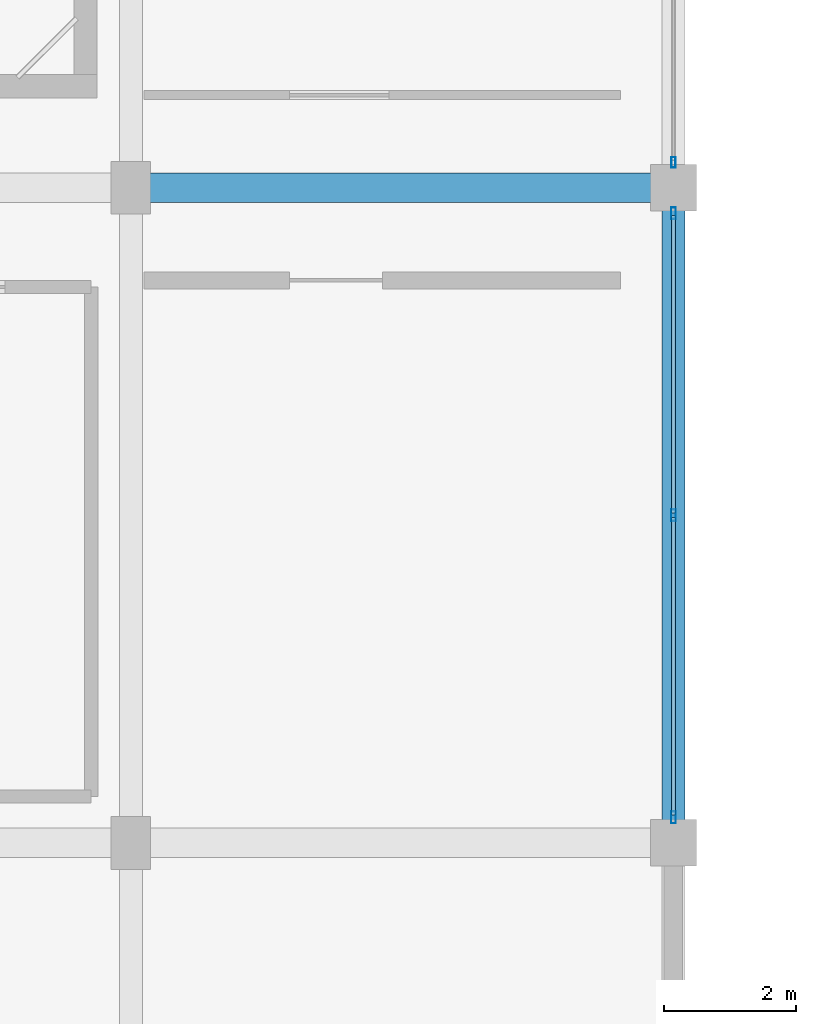
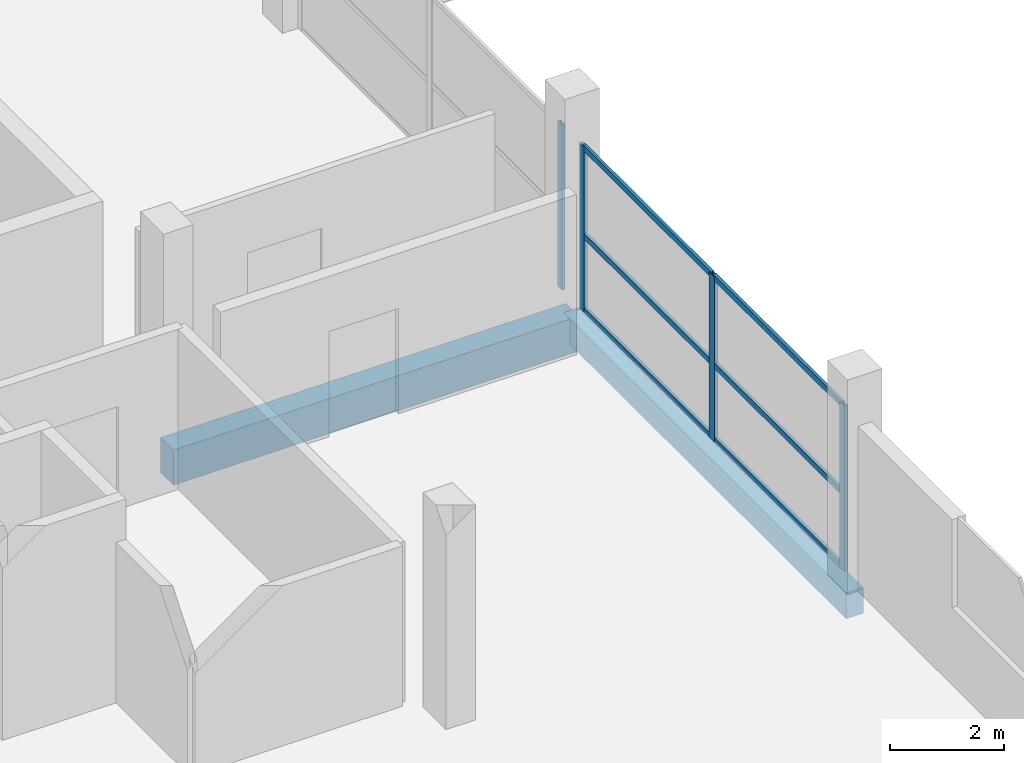
# One storey, part 17 of 55: 10 members, 2 beams, 2 elements without a shape of their own.
"""IFC4 building model written with IfcOpenShell, lengths in metres."""

from ifc_helpers import new_model, si_unit, direction, frame, origin, origin_2d, place, context, subcontext, project, spatial, rectangle, hollow_rectangle, extrude, material, layer, layer_set, material_profile, profile_set, type_object, element, aggregate, save


model = new_model("IFC4")

# Units and contexts
model_context = context("Model", 3, precision=1e-05, world=origin(), true_north=direction((0.0, 1.0)))
body_context = subcontext(model_context, "Body", "Model", "MODEL_VIEW")
ifc_project = project(units=[si_unit("LENGTHUNIT", "METRE"), si_unit("AREAUNIT", "SQUARE_METRE"), si_unit("VOLUMEUNIT", "CUBIC_METRE"), si_unit("PLANEANGLEUNIT", "RADIAN"), si_unit("MASSUNIT", "GRAM", prefix="KILO")], contexts=[model_context])

# Site, building, storey
site_placement = place(None, origin())
site = spatial("IfcSite", under=ifc_project, at=site_placement, CompositionType="ELEMENT")
building_placement = place(site_placement, origin())
building = spatial("IfcBuilding", under=site, at=building_placement, Name="Sillaruma Civic Art Gallery", CompositionType="ELEMENT")
storey_placement = place(building_placement, frame((0.0, 0.0, 37.739990234375)))
storey = spatial("IfcBuildingStorey", under=building, at=storey_placement, Name="L07", CompositionType="ELEMENT", Elevation=37.739990234375)

# Beams
ifc_material_1 = material(Name="Concrete H40 (40 MPa)", Category="concrete")
ifc_material_profile_1 = material_profile(ifc_material_1, rectangle(XDim=0.449951171875, YDim=0.75, at=origin_2d()), Name="RCB450x750")
ifc_profile_set_1 = profile_set([ifc_material_profile_1], Name="Concrete H40 (40 MPa)")
beam_type_1 = type_object("IfcBeamType", Name="BM-BEAM-RCB450x750", PredefinedType="BEAM", material=ifc_profile_set_1)
beam_1_placement = place(storey_placement, frame((106.199951171875, 49.5, -0.614990234375), z_axis=(1.0, 0.0, 0.0), x_axis=(0.0, 1.0, 0.0)))
element("IfcBeam", 1, at=beam_1_placement, inside=storey, type_object=beam_type_1, Name="Beam BM-03 (L06:6:M-N)", PredefinedType="BEAM", context=body_context, shape_type="SweptSolid", body=[
    extrude(rectangle(XDim=0.449951171875, YDim=0.75, at=origin_2d()), origin(), (0.0, 0.0, 1.0), 8.199951171875),
])
ifc_material_2 = material(Name="Concrete H35 (35 MPa)", Category="concrete")
ifc_material_profile_2 = material_profile(ifc_material_2, rectangle(XDim=0.35009765625, YDim=0.550048828125, at=origin_2d()), Name="RCB350x550")
ifc_profile_set_2 = profile_set([ifc_material_profile_2], Name="Concrete H35 (35 MPa)")
beam_type_2 = type_object("IfcBeamType", Name="BM-SPANDREL-RCB350x550", PredefinedType="SPANDREL", material=ifc_profile_set_2)
beam_2_placement = place(storey_placement, frame((114.39990234375, 39.60009765625, -0.514892578125), z_axis=(0.0, 1.0, 0.0), x_axis=(-1.0, 0.0, 0.0)))
element("IfcBeam", 2, at=beam_2_placement, inside=storey, type_object=beam_type_2, Name="Beam BS-04 (L06:N:5-6)", PredefinedType="SPANDREL", context=body_context, shape_type="SweptSolid", body=[
    extrude(rectangle(XDim=0.35009765625, YDim=0.550048828125, at=origin_2d()), origin(), (0.0, 0.0, 1.0), 9.89990234375),
])

# Curtain wall, member
ifc_material_3 = material(Name="Thermally Broken Extruded Aluminium 6063-T6", Category="aluminium")
ifc_layer_1 = layer(ifc_material_3, 0.159912109375, Name="Thermally Broken Extruded Aluminium 6063-T6")
ifc_layer_set_1 = layer_set([ifc_layer_1], Name="Thermally Broken Extruded Aluminium 6063-T6")
curtain_wall_type_1 = type_object("IfcCurtainWallType", Name="CW-UNI-47", PredefinedType="NOTDEFINED", material=ifc_layer_set_1)
curtain_wall_1_placement = place(storey_placement, origin())
curtain_wall_1 = element("IfcCurtainWall", 3, at=curtain_wall_1_placement, inside=storey, type_object=curtain_wall_type_1, Name="Unitised Curtain Wall CW-47 (CW-L07-E-4)", PredefinedType="NOTDEFINED")
ifc_material_profile_3 = material_profile(ifc_material_3, hollow_rectangle(XDim=0.06494140625, YDim=0.159912109375, WallThickness=0.00390625, at=origin_2d()), Name="CWM65x160")
ifc_profile_set_3 = profile_set([ifc_material_profile_3], Name="Thermally Broken Extruded Aluminium 6063-T6")
member_type_1 = type_object("IfcMemberType", Name="MEM-MUL-CWM65x160", PredefinedType="MULLION", material=ifc_profile_set_3)
member_1_placement = place(storey_placement, frame((114.39990234375, 49.882568359375, 0.0), z_axis=(0.0, 0.0, 1.0), x_axis=(-1.0, 0.0, 0.0)))
member_1 = element("IfcMember", 4, at=member_1_placement, type_object=member_type_1, Name="CW-47 mullion 1", PredefinedType="MULLION", context=body_context, shape_type="SweptSolid", body=[
    extrude(hollow_rectangle(XDim=0.06494140625, YDim=0.159912109375, WallThickness=0.00390625, at=origin_2d()), origin(), (0.0, 0.0, 1.0), 3.530029296875),
])
aggregate(curtain_wall_1, [member_1])

# Curtain wall, members
ifc_layer_2 = layer(ifc_material_3, 0.179931640625, Name="Thermally Broken Extruded Aluminium 6063-T6")
ifc_layer_set_2 = layer_set([ifc_layer_2], Name="Thermally Broken Extruded Aluminium 6063-T6")
curtain_wall_type_2 = type_object("IfcCurtainWallType", Name="CW-UNI-45", PredefinedType="NOTDEFINED", material=ifc_layer_set_2)
curtain_wall_2_placement = place(storey_placement, origin())
curtain_wall_2 = element("IfcCurtainWall", 5, at=curtain_wall_2_placement, inside=storey, type_object=curtain_wall_type_2, Name="Unitised Curtain Wall CW-45 (CW-L07-E-3)", PredefinedType="NOTDEFINED")
ifc_material_profile_4 = material_profile(ifc_material_3, hollow_rectangle(XDim=0.070068359375, YDim=0.179931640625, WallThickness=0.00390625, at=origin_2d()), Name="CWM70x180")
ifc_profile_set_4 = profile_set([ifc_material_profile_4], Name="Thermally Broken Extruded Aluminium 6063-T6")
member_type_2 = type_object("IfcMemberType", Name="MEM-MUL-CWM70x180", PredefinedType="MULLION", material=ifc_profile_set_4)
member_2_placement = place(storey_placement, frame((114.39990234375, 39.985107421875, 0.0), z_axis=(0.0, 0.0, 1.0), x_axis=(-1.0, 0.0, 0.0)))
member_2 = element("IfcMember", 6, at=member_2_placement, type_object=member_type_2, Name="CW-45 mullion 1", PredefinedType="MULLION", context=body_context, shape_type="SweptSolid", body=[
    extrude(hollow_rectangle(XDim=0.070068359375, YDim=0.179931640625, WallThickness=0.00390625, at=origin_2d()), origin(), (0.0, 0.0, 1.0), 3.530029296875),
])
member_3_placement = place(storey_placement, frame((114.39990234375, 44.550048828125, 0.0), z_axis=(0.0, 0.0, 1.0), x_axis=(-1.0, 0.0, 0.0)))
member_3 = element("IfcMember", 7, at=member_3_placement, type_object=member_type_2, Name="CW-45 mullion 2", PredefinedType="MULLION", context=body_context, shape_type="SweptSolid", body=[
    extrude(hollow_rectangle(XDim=0.070068359375, YDim=0.179931640625, WallThickness=0.00390625, at=origin_2d()), origin(), (0.0, 0.0, 1.0), 3.530029296875),
])
member_4_placement = place(storey_placement, frame((114.39990234375, 49.114990234375, 0.0), z_axis=(0.0, 0.0, 1.0), x_axis=(-1.0, 0.0, 0.0)))
member_4 = element("IfcMember", 8, at=member_4_placement, type_object=member_type_2, Name="CW-45 mullion 3", PredefinedType="MULLION", context=body_context, shape_type="SweptSolid", body=[
    extrude(hollow_rectangle(XDim=0.070068359375, YDim=0.179931640625, WallThickness=0.00390625, at=origin_2d()), origin(), (0.0, 0.0, 1.0), 3.530029296875),
])
ifc_material_profile_5 = material_profile(ifc_material_3, hollow_rectangle(XDim=0.06494140625, YDim=0.1201171875, WallThickness=0.00341796875, at=origin_2d()), Name="CWT65x120")
ifc_profile_set_5 = profile_set([ifc_material_profile_5], Name="Thermally Broken Extruded Aluminium 6063-T6")
member_type_3 = type_object("IfcMemberType", Name="MEM-TRN-CWT65x120", PredefinedType="USERDEFINED", material=ifc_profile_set_5)
member_5_placement = place(storey_placement, frame((114.39990234375, 40.02001953125, 0.032470703125), z_axis=(0.0, 1.0, 0.0), x_axis=(-1.0, 0.0, 0.0)))
member_5 = element("IfcMember", 9, at=member_5_placement, type_object=member_type_3, Name="CW-45 transom 1.1", ObjectType="TRANSOM", PredefinedType="USERDEFINED", context=body_context, shape_type="SweptSolid", body=[
    extrude(hollow_rectangle(XDim=0.06494140625, YDim=0.1201171875, WallThickness=0.00341796875, at=origin_2d()), origin(), (0.0, 0.0, 1.0), 4.494873046875),
])
member_6_placement = place(storey_placement, frame((114.39990234375, 40.02001953125, 1.623779296875), z_axis=(0.0, 1.0, 0.0), x_axis=(-1.0, 0.0, 0.0)))
member_6 = element("IfcMember", 10, at=member_6_placement, type_object=member_type_3, Name="CW-45 transom 1.2", ObjectType="TRANSOM", PredefinedType="USERDEFINED", context=body_context, shape_type="SweptSolid", body=[
    extrude(hollow_rectangle(XDim=0.06494140625, YDim=0.1201171875, WallThickness=0.00341796875, at=origin_2d()), origin(), (0.0, 0.0, 1.0), 4.494873046875),
])
member_7_placement = place(storey_placement, frame((114.39990234375, 40.02001953125, 3.49755859375), z_axis=(0.0, 1.0, 0.0), x_axis=(-1.0, 0.0, 0.0)))
member_7 = element("IfcMember", 11, at=member_7_placement, type_object=member_type_3, Name="CW-45 transom 1.3", ObjectType="TRANSOM", PredefinedType="USERDEFINED", context=body_context, shape_type="SweptSolid", body=[
    extrude(hollow_rectangle(XDim=0.06494140625, YDim=0.1201171875, WallThickness=0.00341796875, at=origin_2d()), origin(), (0.0, 0.0, 1.0), 4.494873046875),
])
member_8_placement = place(storey_placement, frame((114.39990234375, 44.5849609375, 0.032470703125), z_axis=(0.0, 1.0, 0.0), x_axis=(-1.0, 0.0, 0.0)))
member_8 = element("IfcMember", 12, at=member_8_placement, type_object=member_type_3, Name="CW-45 transom 2.1", ObjectType="TRANSOM", PredefinedType="USERDEFINED", context=body_context, shape_type="SweptSolid", body=[
    extrude(hollow_rectangle(XDim=0.06494140625, YDim=0.1201171875, WallThickness=0.00341796875, at=origin_2d()), origin(), (0.0, 0.0, 1.0), 4.4951171875),
])
member_9_placement = place(storey_placement, frame((114.39990234375, 44.5849609375, 1.623779296875), z_axis=(0.0, 1.0, 0.0), x_axis=(-1.0, 0.0, 0.0)))
member_9 = element("IfcMember", 13, at=member_9_placement, type_object=member_type_3, Name="CW-45 transom 2.2", ObjectType="TRANSOM", PredefinedType="USERDEFINED", context=body_context, shape_type="SweptSolid", body=[
    extrude(hollow_rectangle(XDim=0.06494140625, YDim=0.1201171875, WallThickness=0.00341796875, at=origin_2d()), origin(), (0.0, 0.0, 1.0), 4.4951171875),
])
member_10_placement = place(storey_placement, frame((114.39990234375, 44.5849609375, 3.49755859375), z_axis=(0.0, 1.0, 0.0), x_axis=(-1.0, 0.0, 0.0)))
member_10 = element("IfcMember", 14, at=member_10_placement, type_object=member_type_3, Name="CW-45 transom 2.3", ObjectType="TRANSOM", PredefinedType="USERDEFINED", context=body_context, shape_type="SweptSolid", body=[
    extrude(hollow_rectangle(XDim=0.06494140625, YDim=0.1201171875, WallThickness=0.00341796875, at=origin_2d()), origin(), (0.0, 0.0, 1.0), 4.4951171875),
])
aggregate(curtain_wall_2, [member_2, member_3, member_4, member_5, member_6, member_7, member_8, member_9, member_10])

save(model, "model.ifc")
